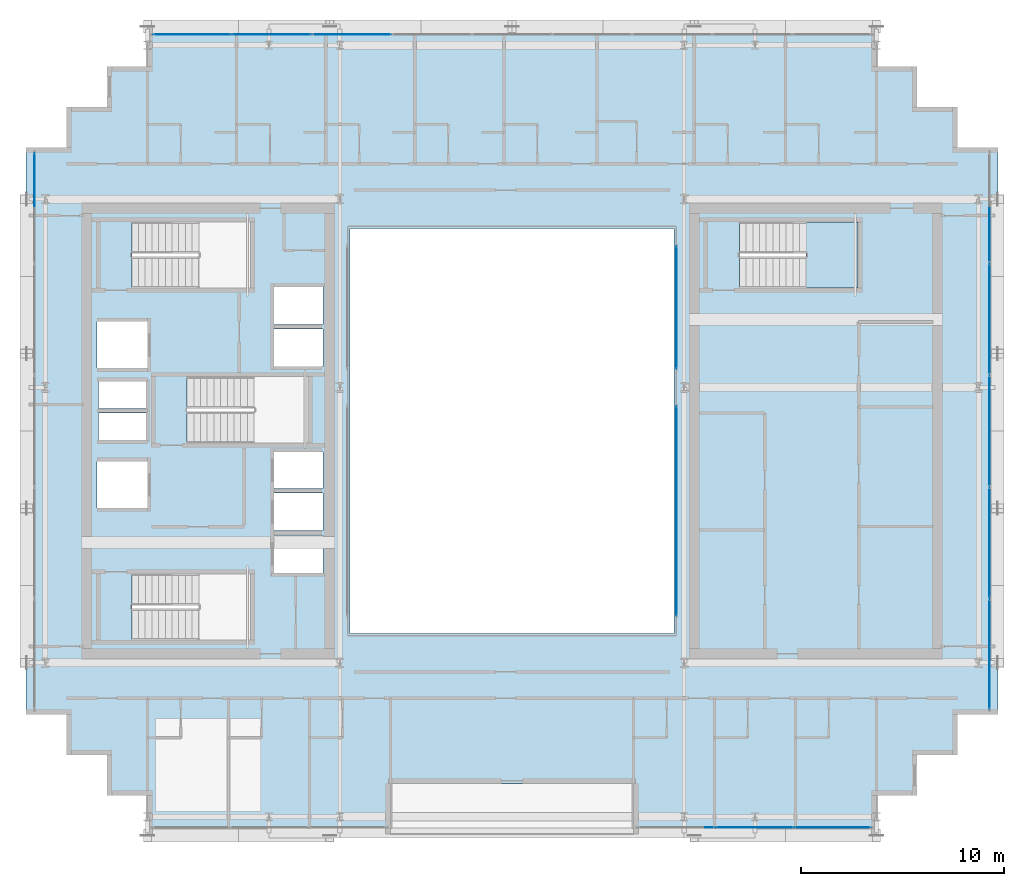
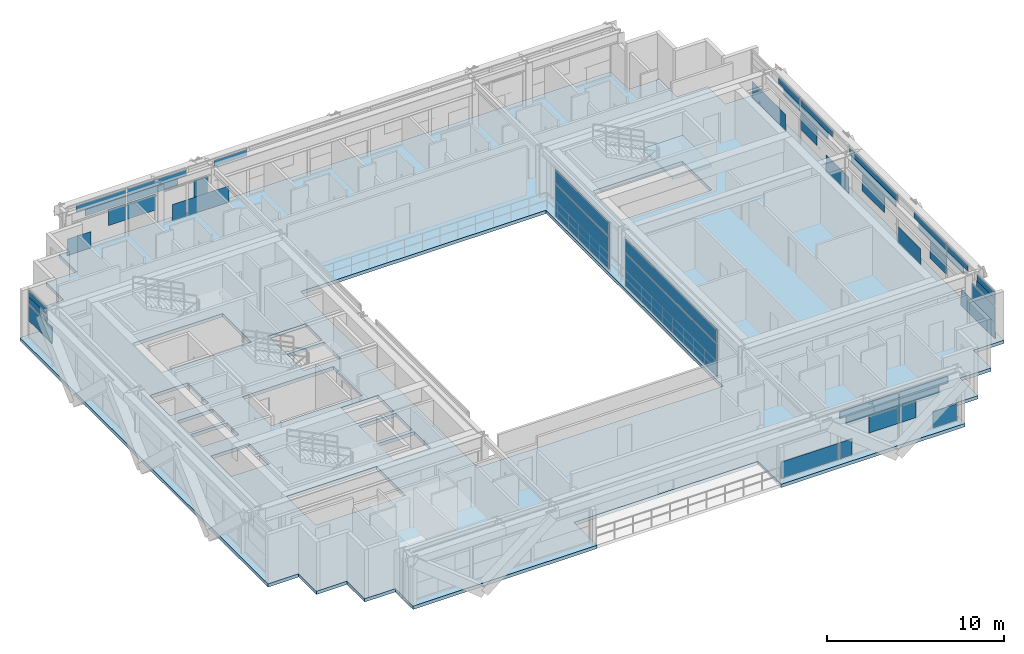
# One storey, part 25 of 38: 47 plates, 2 slabs, 7 elements without a shape of their own.
"""IFC4 building model written with IfcOpenShell, lengths in metres."""

import ifcopenshell
import ifcopenshell.guid

model = None  # the IFC model being written
_history = None  # IfcOwnerHistory: only IFC2X3 demands one
_inside = {}  # id of a spatial element -> (the spatial element, [elements in it])
_under = {}  # id of a project, library or spatial element -> (it, [spatial elements below it])
_declared = {}  # id of a project -> (the project, [libraries it declares])
_typed = {}  # id of a type object -> (the type object, [elements of that type])
_made_of = {}  # id of a material, layer set ... -> (it, [elements and type objects made of it])


def new_model(schema):
    """Start an empty IFC model of exactly this schema.

    Asked for "IFC4X3", IfcOpenShell would pick the latest addendum, in which some entities
    have other attributes; the version numbers below select the first issue.
    IFC2X3 requires an IfcOwnerHistory on every rooted entity: one is made here for all.
    """
    global model, _history
    if schema == "IFC4X3":
        model = ifcopenshell.file(schema_version=(4, 3, 0, 0))
    else:
        model = ifcopenshell.file(schema=schema)
    _inside.clear()
    _under.clear()
    _declared.clear()
    _typed.clear()
    _made_of.clear()
    _history = None
    if model.schema == "IFC2X3":
        org = make("IfcOrganization", Name="unknown")
        user = make(
            "IfcPersonAndOrganization",
            ThePerson=make("IfcPerson", FamilyName="unknown"),
            TheOrganization=org,
        )
        app = make(
            "IfcApplication",
            ApplicationDeveloper=org,
            Version="unknown",
            ApplicationFullName="unknown",
            ApplicationIdentifier="unknown",
        )
        _history = make(
            "IfcOwnerHistory",
            OwningUser=user,
            OwningApplication=app,
            ChangeAction="ADDED",
            CreationDate=0,
        )
    return model


def make(cls, **values):
    """One entity of the class cls with the attributes given. An attribute that is None is left unset."""
    return model.create_entity(
        cls, **{name: value for name, value in values.items() if value is not None}
    )


def rooted(cls, **values):
    """An entity with a GlobalId (a new one), such as an element, a storey or a relation."""
    return make(cls, GlobalId=ifcopenshell.guid.new(), OwnerHistory=_history, **values)


def si_unit(unit_type, name, prefix=None):
    """IfcSIUnit, for example si_unit("LENGTHUNIT", "METRE", prefix="MILLI")."""
    return make("IfcSIUnit", UnitType=unit_type, Prefix=prefix, Name=name)


def assignment(units):
    """IfcUnitAssignment: the units of a project."""
    return None if units is None else make("IfcUnitAssignment", Units=units)


def point(xyz):
    """IfcCartesianPoint."""
    return None if xyz is None else make("IfcCartesianPoint", Coordinates=xyz)


def direction(xyz):
    """IfcDirection."""
    return None if xyz is None else make("IfcDirection", DirectionRatios=xyz)


def frame(location, z_axis=None, x_axis=None):
    """IfcAxis2Placement3D, a coordinate frame: its origin and axes. An axis left out is left unset."""
    return make(
        "IfcAxis2Placement3D",
        Location=point(location),
        Axis=direction(z_axis),
        RefDirection=direction(x_axis),
    )


def frame_2d(location, x_axis=None):
    """IfcAxis2Placement2D, a coordinate frame in the plane: its origin and x axis."""
    return make(
        "IfcAxis2Placement2D", Location=point(location), RefDirection=direction(x_axis)
    )


def origin():
    """The frame at (0, 0, 0) with its axes left unset."""
    return frame((0.0, 0.0, 0.0))


def origin_2d():
    """The frame at (0, 0) in the plane with its x axis left unset."""
    return frame_2d((0.0, 0.0))


def place(relative_to, where):
    """IfcLocalPlacement: puts the frame where relative to a parent placement (None: the world)."""
    return make(
        "IfcLocalPlacement", PlacementRelTo=relative_to, RelativePlacement=where
    )


def context(
    kind, dimensions, precision=None, world=None, true_north=None, identifier=None
):
    """IfcGeometricRepresentationContext, for example the 3D "Model" context."""
    return make(
        "IfcGeometricRepresentationContext",
        ContextIdentifier=identifier,
        ContextType=kind,
        CoordinateSpaceDimension=dimensions,
        Precision=precision,
        WorldCoordinateSystem=world,
        TrueNorth=true_north,
    )


def subcontext(parent, identifier, kind, view, scale=None):
    """IfcGeometricRepresentationSubContext, for example "Body" below "Model"."""
    return make(
        "IfcGeometricRepresentationSubContext",
        ContextIdentifier=identifier,
        ContextType=kind,
        ParentContext=parent,
        TargetScale=scale,
        TargetView=view,
    )


def project(units=None, contexts=None):
    """IfcProject with its units and contexts."""
    return rooted(
        "IfcProject",
        Name="project",
        RepresentationContexts=contexts,
        UnitsInContext=assignment(units),
    )


def spatial(cls, under=None, at=None, **own):
    """A site, building, storey or space (cls), placed at a placement, below another one or the project."""
    s = rooted(cls, ObjectPlacement=at, **own)
    if under is not None:
        _under.setdefault(under.id(), (under, []))[1].append(s)
    return s


def polyline(points):
    """IfcPolyline through the points."""
    return make("IfcPolyline", Points=[point(p) for p in points])


def profile(cls, at=None, kind="AREA", **sizes):
    """A parametric profile (cls). Its sizes go by their IFC names, for example OverallWidth=200.0."""
    return make(cls, ProfileType=kind, Position=at, **sizes)


def rectangle(**sizes):
    """IfcRectangleProfileDef."""
    return profile("IfcRectangleProfileDef", **sizes)


def outline(outer, holes=None, kind="AREA"):
    """IfcArbitraryClosedProfileDef: a profile drawn as a closed curve; with holes, ...WithVoids."""
    if holes is None:
        return make("IfcArbitraryClosedProfileDef", ProfileType=kind, OuterCurve=outer)
    return make(
        "IfcArbitraryProfileDefWithVoids",
        ProfileType=kind,
        OuterCurve=outer,
        InnerCurves=holes,
    )


def extrude(swept, where, along, depth):
    """IfcExtrudedAreaSolid: the profile swept, set in the frame where, extruded along a direction by depth."""
    return make(
        "IfcExtrudedAreaSolid",
        SweptArea=swept,
        Position=where,
        ExtrudedDirection=direction(along),
        Depth=depth,
    )


def shape(context_of_items, identifier, shape_type, items):
    """IfcShapeRepresentation: the items that make up one representation, for example the "Body"."""
    return make(
        "IfcShapeRepresentation",
        ContextOfItems=context_of_items,
        RepresentationIdentifier=identifier,
        RepresentationType=shape_type,
        Items=items,
    )


def source(mapping_origin, context_of_items, identifier, shape_type, items):
    """IfcRepresentationMap: a shape defined once, which mapped items show again and again."""
    return make(
        "IfcRepresentationMap",
        MappingOrigin=mapping_origin,
        MappedRepresentation=shape(context_of_items, identifier, shape_type, items),
    )


def transform(
    local_origin,
    x_axis=None,
    y_axis=None,
    z_axis=None,
    scale=None,
    scale2=None,
    scale3=None,
    uniform=True,
):
    """IfcCartesianTransformationOperator3D, or its non-uniform kind. x_axis, y_axis, z_axis: its Axis1, 2, 3."""
    if uniform:
        return make(
            "IfcCartesianTransformationOperator3D",
            Axis1=direction(x_axis),
            Axis2=direction(y_axis),
            LocalOrigin=point(local_origin),
            Scale=scale,
            Axis3=direction(z_axis),
        )
    return make(
        "IfcCartesianTransformationOperator3DnonUniform",
        Axis1=direction(x_axis),
        Axis2=direction(y_axis),
        LocalOrigin=point(local_origin),
        Scale=scale,
        Axis3=direction(z_axis),
        Scale2=scale2,
        Scale3=scale3,
    )


def mapped(mapping_source, mapping_target):
    """IfcMappedItem: shows the shape of a source again, moved by a transform."""
    return make(
        "IfcMappedItem", MappingSource=mapping_source, MappingTarget=mapping_target
    )


def material(Name=None, Category=None):
    """IfcMaterial."""
    return make("IfcMaterial", Name=Name, Category=Category)


def layer(
    of_material, thickness, ventilated=None, Name=None, Category=None, Priority=None
):
    """IfcMaterialLayer: one layer of a wall or slab, of a material (None: an air gap)."""
    return make(
        "IfcMaterialLayer",
        Material=of_material,
        LayerThickness=thickness,
        IsVentilated=ventilated,
        Name=Name,
        Category=Category,
        Priority=Priority,
    )


def layer_set(layers, Name=None):
    """IfcMaterialLayerSet."""
    return make("IfcMaterialLayerSet", MaterialLayers=layers, LayerSetName=Name)


def made_of(thing, what):
    """Note that an element or type object is made of a material, layer set ...; save() writes the relation."""
    if what is not None:
        _made_of.setdefault(what.id(), (what, []))[1].append(thing)
    return thing


def type_object(cls, material=None, **own):
    """A type object (cls), such as IfcWallType, which elements share."""
    return made_of(rooted(cls, **own), material)


def element(
    cls,
    number,
    at=None,
    inside=None,
    cuts=None,
    type_object=None,
    material=None,
    context=None,
    identifier="Body",
    shape_type=None,
    held_by="IfcProductDefinitionShape",
    body=None,
    shapes=None,
    **own,
):
    """One element of the class cls, such as IfcWall. Its Tag is "e" and its number.

    at: its placement. inside: the storey or other place that contains it. cuts: it is an
    opening in that element (IfcRelVoidsElement). A single representation is given by context,
    identifier, shape_type and body (its items); several are given by shapes. held_by: the class
    of the entity that holds the representations. save() writes the other relations.
    """
    e = rooted(cls, Tag="e%d" % number, ObjectPlacement=at, **own)
    if body is not None:
        shapes = [shape(context, identifier, shape_type, body)]
    if shapes is not None:
        e.Representation = make(held_by, Representations=shapes)
    if inside is not None:
        _inside.setdefault(inside.id(), (inside, []))[1].append(e)
    if cuts is not None:
        rooted(
            "IfcRelVoidsElement", RelatingBuildingElement=cuts, RelatedOpeningElement=e
        )
    if type_object is not None:
        _typed.setdefault(type_object.id(), (type_object, []))[1].append(e)
    return made_of(e, material)


def aggregate(whole, parts):
    """IfcRelAggregates: a whole, such as a stair, and the parts it consists of."""
    return rooted("IfcRelAggregates", RelatingObject=whole, RelatedObjects=parts)


def save(model, path):
    """Write the relations noted so far, then the file.

    IfcRelAggregates (storeys below a building ...), IfcRelContainedInSpatialStructure (elements
    in a storey), IfcRelDefinesByType, IfcRelAssociatesMaterial and IfcRelDeclares: one each for
    every whole, place, type object, material and project.
    """
    for whole, parts in _under.values():
        aggregate(whole, parts)
    for where, things in _inside.values():
        rooted(
            "IfcRelContainedInSpatialStructure",
            RelatedElements=things,
            RelatingStructure=where,
        )
    for kind, things in _typed.values():
        rooted("IfcRelDefinesByType", RelatedObjects=things, RelatingType=kind)
    for what, things in _made_of.values():
        rooted("IfcRelAssociatesMaterial", RelatedObjects=things, RelatingMaterial=what)
    for by, libraries in _declared.values():
        rooted("IfcRelDeclares", RelatingContext=by, RelatedDefinitions=libraries)
    model.write(path)


model = new_model("IFC4")

# Units and contexts
model_context = context("Model", 3, precision=1e-05, world=origin(), true_north=direction((0.0, 1.0)))
body_context = subcontext(model_context, "Body", "Model", "MODEL_VIEW")
ifc_project = project(units=[si_unit("LENGTHUNIT", "METRE"), si_unit("AREAUNIT", "SQUARE_METRE"), si_unit("VOLUMEUNIT", "CUBIC_METRE"), si_unit("PLANEANGLEUNIT", "RADIAN"), si_unit("MASSUNIT", "GRAM", prefix="KILO")], contexts=[model_context])

# Site, building, storey
site_placement = place(None, origin())
site = spatial("IfcSite", under=ifc_project, at=site_placement, CompositionType="ELEMENT")
building_placement = place(site_placement, origin())
building = spatial("IfcBuilding", under=site, at=building_placement, Name="Ocotamira Hotel", CompositionType="ELEMENT")
storey_placement = place(building_placement, frame((0.0, 0.0, 170.39990234375)))
storey = spatial("IfcBuildingStorey", under=building, at=storey_placement, Name="L42", CompositionType="ELEMENT", Elevation=170.39990234375)

# Stair, slab
ifc_material_1 = material(Name="Concrete C40/50", Category="concrete")
stair_type = type_object("IfcStairType", Name="ST-CORE-1560", PredefinedType="HALF_TURN_STAIR", material=ifc_material_1)
stair_placement = place(storey_placement, origin())
stair = element("IfcStair", 1, at=stair_placement, inside=storey, type_object=stair_type, Name="L42 Exit Stair ST-4", PredefinedType="HALF_TURN_STAIR")
ifc_layer_1 = layer(ifc_material_1, 0.199951171875)
ifc_layer_set_1 = layer_set([ifc_layer_1], Name="Concrete C40/50")
slab_type_1 = type_object("IfcSlabType", Name="SLB-LAND-200", PredefinedType="LANDING", material=ifc_layer_set_1)
slab_1_placement = place(storey_placement, frame((0.0, 0.0, 1.60009765625)))
slab_1 = element("IfcSlab", 2, at=slab_1_placement, type_object=slab_type_1, Name="ST-4 landing 1", PredefinedType="LANDING", context=body_context, shape_type="SweptSolid", body=[
    extrude(outline(polyline([(46.530029296875, 33.050048828125), (49.090087890625, 33.050048828125), (49.090087890625, 36.330078125), (46.530029296875, 36.330078125), (46.530029296875, 33.050048828125)])), origin(), (0.0, 0.0, 1.0), 0.199951171875),
])
aggregate(stair, [slab_1])

# Slab
ifc_layer_2 = layer(ifc_material_1, 0.22998046875)
ifc_layer_set_2 = layer_set([ifc_layer_2], Name="Concrete C40/50")
slab_type_2 = type_object("IfcSlabType", Name="SLB-Z3-230", PredefinedType="FLOOR", material=ifc_layer_set_2)
slab_2_placement = place(storey_placement, frame((0.0, 0.0, -0.22998046875)))
element("IfcSlab", 3, at=slab_2_placement, inside=storey, type_object=slab_type_2, Name="L42 Structural Floor Slab", PredefinedType="FLOOR", context=body_context, shape_type="SweptSolid", body=[
    extrude(outline(polyline([(14.0, 6.0), (14.0, 8.0), (12.0, 8.0), (12.0, 10.0), (10.0, 10.0), (10.0, 12.0), (8.0, 12.0), (8.0, 40.0), (10.0, 40.0), (10.0, 42.0), (12.0, 42.0), (12.0, 44.0), (14.0, 44.0), (14.0, 46.0), (50.0, 46.0), (50.0, 44.0), (52.0, 44.0), (52.0, 42.0), (54.0, 42.0), (54.0, 40.0), (56.0, 40.0), (56.0, 12.0), (54.0, 12.0), (54.0, 10.0), (52.0, 10.0), (52.0, 8.0), (50.0, 8.0), (50.0, 6.0), (38.0, 6.0), (38.0, 8.60009765625), (26.0, 8.60009765625), (26.0, 6.0), (14.0, 6.0)]), holes=[polyline([(24.0, 16.0), (40.0, 16.0), (40.0, 36.0), (24.0, 36.0), (24.0, 16.0)]), polyline([(13.22998046875, 15.669921875), (19.090087890625, 15.669921875), (19.090087890625, 18.949951171875), (13.22998046875, 18.949951171875), (13.22998046875, 15.669921875)]), polyline([(13.22998046875, 33.050048828125), (19.090087890625, 33.050048828125), (19.090087890625, 36.330078125), (13.22998046875, 36.330078125), (13.22998046875, 33.050048828125)]), polyline([(15.9599609375, 25.39990234375), (21.919921875, 25.39990234375), (21.919921875, 28.679931640625), (15.9599609375, 28.679931640625), (15.9599609375, 25.39990234375)]), polyline([(43.22998046875, 33.050048828125), (49.090087890625, 33.050048828125), (49.090087890625, 36.330078125), (43.22998046875, 36.330078125), (43.22998046875, 33.050048828125)]), polyline([(20.25, 19.0), (22.659912109375, 19.0), (22.659912109375, 20.85009765625), (20.25, 20.85009765625), (20.25, 19.0)]), polyline([(20.25, 21.080078125), (22.659912109375, 21.080078125), (22.659912109375, 22.929931640625), (20.25, 22.929931640625), (20.25, 21.080078125)]), polyline([(20.25, 23.159912109375), (22.659912109375, 23.159912109375), (22.659912109375, 24.9599609375), (20.25, 24.9599609375), (20.25, 23.159912109375)]), polyline([(20.25, 29.179931640625), (22.659912109375, 29.179931640625), (22.659912109375, 31.030029296875), (20.25, 31.030029296875), (20.25, 29.179931640625)]), polyline([(20.25, 31.260009765625), (22.659912109375, 31.260009765625), (22.659912109375, 33.110107421875), (20.25, 33.110107421875), (20.25, 31.260009765625)]), polyline([(11.5, 22.199951171875), (14.0, 22.199951171875), (14.0, 24.5), (11.5, 24.5), (11.5, 22.199951171875)]), polyline([(11.5, 29.10009765625), (14.0, 29.10009765625), (14.0, 31.39990234375), (11.5, 31.39990234375), (11.5, 29.10009765625)]), polyline([(11.580078125, 25.550048828125), (13.919921875, 25.550048828125), (13.919921875, 26.89990234375), (11.580078125, 26.89990234375), (11.580078125, 25.550048828125)]), polyline([(11.580078125, 27.10009765625), (13.919921875, 27.10009765625), (13.919921875, 28.449951171875), (11.580078125, 28.449951171875), (11.580078125, 27.10009765625)])]), origin(), (0.0, 0.0, 1.0), 0.22998046875),
])

# Curtain wall, plate
ifc_material_2 = material(Name="Anodised pale-metal aluminium and solar glass", Category="aluminium")
ifc_layer_3 = layer(ifc_material_2, 0.199951171875)
ifc_layer_set_3 = layer_set([ifc_layer_3], Name="Anodised pale-metal aluminium and solar glass")
curtain_wall_type_1 = type_object("IfcCurtainWallType", Name="CW-SYS4-Z3", PredefinedType="NOTDEFINED", material=ifc_layer_set_3)
curtain_wall_1_placement = place(storey_placement, origin())
curtain_wall_1 = element("IfcCurtainWall", 4, at=curtain_wall_1_placement, inside=storey, type_object=curtain_wall_type_1, Name="L42 Curtain Wall CW-4 CW-L42-S2", PredefinedType="NOTDEFINED")
ifc_material_3 = material(Name="Double-silver low-E insulated solar glass", Category="glass")
ifc_layer_4 = layer(ifc_material_3, 0.031982421875)
ifc_layer_set_4 = layer_set([ifc_layer_4], Name="Double-silver low-E insulated solar glass")
plate_type = type_object("IfcPlateType", Name="CWP-VISION-32", PredefinedType="CURTAIN_PANEL", material=ifc_layer_set_4)
shared_shape_1 = source(origin(), body_context, "Body", "SweptSolid", [
    extrude(rectangle(XDim=1.5673828125, YDim=0.031982421875, at=origin_2d()), origin(), (0.0, 0.0, 1.0), 1.118896484375),
])
plate_1_placement = place(storey_placement, frame((48.936279296875, 6.419921875, 0.0751953125), z_axis=(0.0, 0.0, 1.0), x_axis=(1.0, 0.0, 0.0)))
plate_1 = element("IfcPlate", 5, at=plate_1_placement, type_object=plate_type, Name="CW-4 panel 3.1.2", PredefinedType="CURTAIN_PANEL", context=body_context, shape_type="MappedRepresentation", body=[
    mapped(shared_shape_1, transform((0.0, 0.0, 0.0), scale=1.0)),
])

# Curtain wall, plates
curtain_wall_2_placement = place(storey_placement, origin())
curtain_wall_2 = element("IfcCurtainWall", 6, at=curtain_wall_2_placement, inside=storey, type_object=curtain_wall_type_1, Name="L42 Curtain Wall CW-4 CW-L42-N", PredefinedType="NOTDEFINED")
plate_2_placement = place(storey_placement, frame((15.063720703125, 45.580078125, 0.0751953125), z_axis=(0.0, 0.0, 1.0), x_axis=(1.0, 0.0, 0.0)))
plate_2 = element("IfcPlate", 7, at=plate_2_placement, type_object=plate_type, Name="CW-4 panel 1.1.1", PredefinedType="CURTAIN_PANEL", context=body_context, shape_type="MappedRepresentation", body=[
    mapped(shared_shape_1, transform((0.0, 0.0, 0.0), scale=1.0)),
])
shared_shape_2 = source(origin(), body_context, "Body", "SweptSolid", [
    extrude(rectangle(XDim=3.233154296875, YDim=0.031982421875, at=origin_2d()), origin(), (0.0, 0.0, 1.0), 0.4326171875),
])
plate_3_placement = place(storey_placement, frame((16.4990234375, 45.580078125, 2.862548828125), z_axis=(0.0, 0.0, 1.0), x_axis=(1.0, 0.0, 0.0)))
plate_3 = element("IfcPlate", 8, at=plate_3_placement, type_object=plate_type, Name="CW-4 panel 1.2.1", PredefinedType="CURTAIN_PANEL", context=body_context, shape_type="MappedRepresentation", body=[
    mapped(shared_shape_2, transform((0.0, 0.0, 0.0), scale=1.0)),
])
shared_shape_3 = source(origin(), body_context, "Body", "SweptSolid", [
    extrude(rectangle(XDim=2.6396484375, YDim=0.031982421875, at=origin_2d()), origin(), (0.0, 0.0, 1.0), 0.443603515625),
])
plate_4_placement = place(storey_placement, frame((16.795654296875, 45.580078125, 2.3876953125), z_axis=(0.0, 0.0, 1.0), x_axis=(1.0, 0.0, 0.0)))
plate_4 = element("IfcPlate", 9, at=plate_4_placement, type_object=plate_type, Name="CW-4 panel 1.2.2", PredefinedType="CURTAIN_PANEL", context=body_context, shape_type="MappedRepresentation", body=[
    mapped(shared_shape_3, transform((0.0, 0.0, 0.0), scale=1.0)),
])
shared_shape_4 = source(origin(), body_context, "Body", "SweptSolid", [
    extrude(rectangle(XDim=0.918701171875, YDim=0.031982421875, at=origin_2d()), origin(), (0.0, 0.0, 1.0), 1.118896484375),
])
plate_5_placement = place(storey_placement, frame((21.61181640625, 45.580078125, 0.0751953125), z_axis=(0.0, 0.0, 1.0), x_axis=(1.0, 0.0, 0.0)))
plate_5 = element("IfcPlate", 10, at=plate_5_placement, type_object=plate_type, Name="CW-4 panel 2.1.2", PredefinedType="CURTAIN_PANEL", context=body_context, shape_type="MappedRepresentation", body=[
    mapped(shared_shape_4, transform((0.0, 0.0, 0.0), scale=1.0)),
])
shared_shape_5 = source(origin(), body_context, "Body", "SweptSolid", [
    extrude(rectangle(XDim=3.32861328125, YDim=0.031982421875, at=origin_2d()), origin(), (0.0, 0.0, 1.0), 0.474853515625),
])
plate_6_placement = place(storey_placement, frame((19.85986328125, 45.580078125, 2.3876953125), z_axis=(0.0, 0.0, 1.0), x_axis=(1.0, 0.0, 0.0)))
plate_6 = element("IfcPlate", 11, at=plate_6_placement, type_object=plate_type, Name="CW-4 panel 2.2.1", PredefinedType="CURTAIN_PANEL", context=body_context, shape_type="MappedRepresentation", body=[
    mapped(shared_shape_5, transform((0.0, 0.0, 0.0), scale=1.0)),
])
shared_shape_6 = source(origin(), body_context, "Body", "SweptSolid", [
    extrude(rectangle(XDim=3.87548828125, YDim=0.031982421875, at=origin_2d()), origin(), (0.0, 0.0, 1.0), 0.4326171875),
])
plate_7_placement = place(storey_placement, frame((20.13330078125, 45.580078125, 2.862548828125), z_axis=(0.0, 0.0, 1.0), x_axis=(1.0, 0.0, 0.0)))
plate_7 = element("IfcPlate", 12, at=plate_7_placement, type_object=plate_type, Name="CW-4 panel 2.2.2", PredefinedType="CURTAIN_PANEL", context=body_context, shape_type="MappedRepresentation", body=[
    mapped(shared_shape_6, transform((0.0, 0.0, 0.0), scale=1.0)),
])
shared_shape_7 = source(origin(), body_context, "Body", "SweptSolid", [
    extrude(rectangle(XDim=2.6962890625, YDim=0.031982421875, at=origin_2d()), origin(), (0.0, 0.0, 1.0), 1.118896484375),
])
plate_8_placement = place(storey_placement, frame((23.499267578125, 45.580078125, 0.0751953125), z_axis=(0.0, 0.0, 1.0), x_axis=(1.0, 0.0, 0.0)))
plate_8 = element("IfcPlate", 13, at=plate_8_placement, type_object=plate_type, Name="CW-4 panel 3.1.1", PredefinedType="CURTAIN_PANEL", context=body_context, shape_type="MappedRepresentation", body=[
    mapped(shared_shape_7, transform((0.0, 0.0, 0.0), scale=1.0)),
])
shared_shape_8 = source(origin(), body_context, "Body", "SweptSolid", [
    extrude(rectangle(XDim=2.144287109375, YDim=0.031982421875, at=origin_2d()), origin(), (0.0, 0.0, 1.0), 0.4326171875),
])
plate_9_placement = place(storey_placement, frame((24.95458984375, 45.580078125, 2.862548828125), z_axis=(0.0, 0.0, 1.0), x_axis=(1.0, 0.0, 0.0)))
plate_9 = element("IfcPlate", 14, at=plate_9_placement, type_object=plate_type, Name="CW-4 panel 3.2.1", PredefinedType="CURTAIN_PANEL", context=body_context, shape_type="MappedRepresentation", body=[
    mapped(shared_shape_8, transform((0.0, 0.0, 0.0), scale=1.0)),
])

curtain_wall_3_placement = place(storey_placement, origin())
curtain_wall_3 = element("IfcCurtainWall", 15, at=curtain_wall_3_placement, inside=storey, type_object=curtain_wall_type_1, Name="L42 Curtain Wall CW-4 CW-L42-E", PredefinedType="NOTDEFINED")
shared_shape_9 = source(origin(), body_context, "Body", "SweptSolid", [
    extrude(rectangle(XDim=3.802001953125, YDim=0.031982421875, at=origin_2d()), origin(), (0.0, 0.0, 1.0), 1.118896484375),
])
plate_10_placement = place(storey_placement, frame((55.580078125, 14.180908203125, 0.0751953125), z_axis=(0.0, 0.0, 1.0), x_axis=(0.0, 1.0, 0.0)))
plate_10 = element("IfcPlate", 16, at=plate_10_placement, type_object=plate_type, Name="CW-4 panel 1.1.1", PredefinedType="CURTAIN_PANEL", context=body_context, shape_type="MappedRepresentation", body=[
    mapped(shared_shape_9, transform((0.0, 0.0, 0.0), scale=1.0)),
])
plate_11_placement = place(storey_placement, frame((55.580078125, 37.819091796875, 0.0751953125), z_axis=(0.0, 0.0, 1.0), x_axis=(0.0, 1.0, 0.0)))
plate_11 = element("IfcPlate", 17, at=plate_11_placement, type_object=plate_type, Name="CW-4 panel 5.1.1", PredefinedType="CURTAIN_PANEL", context=body_context, shape_type="MappedRepresentation", body=[
    mapped(shared_shape_9, transform((0.0, 0.0, 0.0), scale=1.0)),
])

# Curtain wall, plate
curtain_wall_4_placement = place(storey_placement, origin())
curtain_wall_4 = element("IfcCurtainWall", 18, at=curtain_wall_4_placement, inside=storey, type_object=curtain_wall_type_1, Name="L42 Curtain Wall CW-4 CW-L42-W", PredefinedType="NOTDEFINED")
shared_shape_10 = source(origin(), body_context, "Body", "SweptSolid", [
    extrude(rectangle(XDim=2.048095703125, YDim=0.031982421875, at=origin_2d()), origin(), (0.0, 0.0, 1.0), 0.460693359375),
])
plate_12_placement = place(storey_placement, frame((8.419921875, 38.696044921875, 2.3876953125), z_axis=(0.0, 0.0, 1.0), x_axis=(0.0, 1.0, 0.0)))
plate_12 = element("IfcPlate", 19, at=plate_12_placement, type_object=plate_type, Name="CW-4 panel 5.2.3", PredefinedType="CURTAIN_PANEL", context=body_context, shape_type="MappedRepresentation", body=[
    mapped(shared_shape_10, transform((0.0, 0.0, 0.0), scale=1.0)),
])

# Plate
plate_13_placement = place(storey_placement, frame((55.580078125, 13.303955078125, 2.3876953125), z_axis=(0.0, 0.0, 1.0), x_axis=(0.0, 1.0, 0.0)))
plate_13 = element("IfcPlate", 20, at=plate_13_placement, type_object=plate_type, Name="CW-4 panel 1.2.1", PredefinedType="CURTAIN_PANEL", context=body_context, shape_type="MappedRepresentation", body=[
    mapped(shared_shape_10, transform((0.0, 0.0, 0.0), scale=1.0)),
])

shared_shape_11 = source(origin(), body_context, "Body", "SweptSolid", [
    extrude(rectangle(XDim=2.01171875, YDim=0.031982421875, at=origin_2d()), origin(), (0.0, 0.0, 1.0), 0.44677734375),
])
plate_14_placement = place(storey_placement, frame((8.419921875, 38.714111328125, 2.848388671875), z_axis=(0.0, 0.0, 1.0), x_axis=(0.0, 1.0, 0.0)))
plate_14 = element("IfcPlate", 21, at=plate_14_placement, type_object=plate_type, Name="CW-4 panel 5.2.4", PredefinedType="CURTAIN_PANEL", context=body_context, shape_type="MappedRepresentation", body=[
    mapped(shared_shape_11, transform((0.0, 0.0, 0.0), scale=1.0)),
])

plate_15_placement = place(storey_placement, frame((55.580078125, 13.285888671875, 2.848388671875), z_axis=(0.0, 0.0, 1.0), x_axis=(0.0, 1.0, 0.0)))
plate_15 = element("IfcPlate", 22, at=plate_15_placement, type_object=plate_type, Name="CW-4 panel 1.2.2", PredefinedType="CURTAIN_PANEL", context=body_context, shape_type="MappedRepresentation", body=[
    mapped(shared_shape_11, transform((0.0, 0.0, 0.0), scale=1.0)),
])

shared_shape_12 = source(origin(), body_context, "Body", "SweptSolid", [
    extrude(rectangle(XDim=2.3681640625, YDim=0.031982421875, at=origin_2d()), origin(), (0.0, 0.0, 1.0), 0.41259765625),
])
plate_16_placement = place(storey_placement, frame((55.580078125, 16.495849609375, 2.882568359375), z_axis=(0.0, 0.0, 1.0), x_axis=(0.0, 1.0, 0.0)))
plate_16 = element("IfcPlate", 23, at=plate_16_placement, type_object=plate_type, Name="CW-4 panel 1.2.3", PredefinedType="CURTAIN_PANEL", context=body_context, shape_type="MappedRepresentation", body=[
    mapped(shared_shape_12, transform((0.0, 0.0, 0.0), scale=1.0)),
])

plate_17_placement = place(storey_placement, frame((55.580078125, 35.504150390625, 2.882568359375), z_axis=(0.0, 0.0, 1.0), x_axis=(0.0, 1.0, 0.0)))
plate_17 = element("IfcPlate", 24, at=plate_17_placement, type_object=plate_type, Name="CW-4 panel 5.2.2", PredefinedType="CURTAIN_PANEL", context=body_context, shape_type="MappedRepresentation", body=[
    mapped(shared_shape_12, transform((0.0, 0.0, 0.0), scale=1.0)),
])

shared_shape_13 = source(origin(), body_context, "Body", "SweptSolid", [
    extrude(rectangle(XDim=1.84326171875, YDim=0.031982421875, at=origin_2d()), origin(), (0.0, 0.0, 1.0), 0.460693359375),
])
plate_18_placement = place(storey_placement, frame((55.580078125, 16.75830078125, 2.3876953125), z_axis=(0.0, 0.0, 1.0), x_axis=(0.0, 1.0, 0.0)))
plate_18 = element("IfcPlate", 25, at=plate_18_placement, type_object=plate_type, Name="CW-4 panel 1.2.4", PredefinedType="CURTAIN_PANEL", context=body_context, shape_type="MappedRepresentation", body=[
    mapped(shared_shape_13, transform((0.0, 0.0, 0.0), scale=1.0)),
])

plate_19_placement = place(storey_placement, frame((55.580078125, 35.24169921875, 2.3876953125), z_axis=(0.0, 0.0, 1.0), x_axis=(0.0, 1.0, 0.0)))
plate_19 = element("IfcPlate", 26, at=plate_19_placement, type_object=plate_type, Name="CW-4 panel 5.2.1", PredefinedType="CURTAIN_PANEL", context=body_context, shape_type="MappedRepresentation", body=[
    mapped(shared_shape_13, transform((0.0, 0.0, 0.0), scale=1.0)),
])

shared_shape_14 = source(origin(), body_context, "Body", "SweptSolid", [
    extrude(rectangle(XDim=2.548828125, YDim=0.031982421875, at=origin_2d()), origin(), (0.0, 0.0, 1.0), 1.118896484375),
])
plate_20_placement = place(storey_placement, frame((55.580078125, 21.925537109375, 0.0751953125), z_axis=(0.0, 0.0, 1.0), x_axis=(0.0, 1.0, 0.0)))
plate_20 = element("IfcPlate", 27, at=plate_20_placement, type_object=plate_type, Name="CW-4 panel 2.1.2", PredefinedType="CURTAIN_PANEL", context=body_context, shape_type="MappedRepresentation", body=[
    mapped(shared_shape_14, transform((0.0, 0.0, 0.0), scale=1.0)),
])

plate_21_placement = place(storey_placement, frame((55.580078125, 30.074462890625, 0.0751953125), z_axis=(0.0, 0.0, 1.0), x_axis=(0.0, 1.0, 0.0)))
plate_21 = element("IfcPlate", 28, at=plate_21_placement, type_object=plate_type, Name="CW-4 panel 4.1.1", PredefinedType="CURTAIN_PANEL", context=body_context, shape_type="MappedRepresentation", body=[
    mapped(shared_shape_14, transform((0.0, 0.0, 0.0), scale=1.0)),
])

shared_shape_15 = source(origin(), body_context, "Body", "SweptSolid", [
    extrude(rectangle(XDim=3.13671875, YDim=0.031982421875, at=origin_2d()), origin(), (0.0, 0.0, 1.0), 0.460693359375),
])
plate_22_placement = place(storey_placement, frame((55.580078125, 19.328369140625, 2.3876953125), z_axis=(0.0, 0.0, 1.0), x_axis=(0.0, 1.0, 0.0)))
plate_22 = element("IfcPlate", 29, at=plate_22_placement, type_object=plate_type, Name="CW-4 panel 2.2.1", PredefinedType="CURTAIN_PANEL", context=body_context, shape_type="MappedRepresentation", body=[
    mapped(shared_shape_15, transform((0.0, 0.0, 0.0), scale=1.0)),
])

plate_23_placement = place(storey_placement, frame((55.580078125, 32.671630859375, 2.3876953125), z_axis=(0.0, 0.0, 1.0), x_axis=(0.0, 1.0, 0.0)))
plate_23 = element("IfcPlate", 30, at=plate_23_placement, type_object=plate_type, Name="CW-4 panel 4.2.2", PredefinedType="CURTAIN_PANEL", context=body_context, shape_type="MappedRepresentation", body=[
    mapped(shared_shape_15, transform((0.0, 0.0, 0.0), scale=1.0)),
])

shared_shape_16 = source(origin(), body_context, "Body", "SweptSolid", [
    extrude(rectangle(XDim=3.66162109375, YDim=0.031982421875, at=origin_2d()), origin(), (0.0, 0.0, 1.0), 0.41259765625),
])
plate_24_placement = place(storey_placement, frame((55.580078125, 19.5908203125, 2.882568359375), z_axis=(0.0, 0.0, 1.0), x_axis=(0.0, 1.0, 0.0)))
plate_24 = element("IfcPlate", 31, at=plate_24_placement, type_object=plate_type, Name="CW-4 panel 2.2.2", PredefinedType="CURTAIN_PANEL", context=body_context, shape_type="MappedRepresentation", body=[
    mapped(shared_shape_16, transform((0.0, 0.0, 0.0), scale=1.0)),
])

plate_25_placement = place(storey_placement, frame((55.580078125, 32.4091796875, 2.882568359375), z_axis=(0.0, 0.0, 1.0), x_axis=(0.0, 1.0, 0.0)))
plate_25 = element("IfcPlate", 32, at=plate_25_placement, type_object=plate_type, Name="CW-4 panel 4.2.1", PredefinedType="CURTAIN_PANEL", context=body_context, shape_type="MappedRepresentation", body=[
    mapped(shared_shape_16, transform((0.0, 0.0, 0.0), scale=1.0)),
])

shared_shape_17 = source(origin(), body_context, "Body", "SweptSolid", [
    extrude(rectangle(XDim=5.43994140625, YDim=0.031982421875, at=origin_2d()), origin(), (0.0, 0.0, 1.0), 0.41259765625),
])
plate_26_placement = place(storey_placement, frame((55.580078125, 26.0, 2.882568359375), z_axis=(0.0, 0.0, 1.0), x_axis=(0.0, 1.0, 0.0)))
plate_26 = element("IfcPlate", 33, at=plate_26_placement, type_object=plate_type, Name="CW-4 panel 3.2.1", PredefinedType="CURTAIN_PANEL", context=body_context, shape_type="MappedRepresentation", body=[
    mapped(shared_shape_17, transform((0.0, 0.0, 0.0), scale=1.0)),
])

shared_shape_18 = source(origin(), body_context, "Body", "SweptSolid", [
    extrude(rectangle(XDim=5.06005859375, YDim=0.031982421875, at=origin_2d()), origin(), (0.0, 0.0, 1.0), 0.4951171875),
])
plate_27_placement = place(storey_placement, frame((55.580078125, 26.0, 2.387451171875), z_axis=(0.0, 0.0, 1.0), x_axis=(0.0, 1.0, 0.0)))
plate_27 = element("IfcPlate", 34, at=plate_27_placement, type_object=plate_type, Name="CW-4 panel 3.2.2", PredefinedType="CURTAIN_PANEL", context=body_context, shape_type="MappedRepresentation", body=[
    mapped(shared_shape_18, transform((0.0, 0.0, 0.0), scale=1.0)),
])

shared_shape_19 = source(origin(), body_context, "Body", "SweptSolid", [
    extrude(rectangle(XDim=3.76318359375, YDim=0.031982421875, at=origin_2d()), origin(), (0.0, 0.0, 1.0), 1.118896484375),
])
plate_28_placement = place(storey_placement, frame((40.11181640625, 6.419921875, 0.0751953125), z_axis=(0.0, 0.0, 1.0), x_axis=(1.0, 0.0, 0.0)))
plate_28 = element("IfcPlate", 35, at=plate_28_placement, type_object=plate_type, Name="CW-4 panel 1.1.1", PredefinedType="CURTAIN_PANEL", context=body_context, shape_type="MappedRepresentation", body=[
    mapped(shared_shape_19, transform((0.0, 0.0, 0.0), scale=1.0)),
])

shared_shape_20 = source(origin(), body_context, "Body", "SweptSolid", [
    extrude(rectangle(XDim=0.898193359375, YDim=0.031982421875, at=origin_2d()), origin(), (0.0, 0.0, 1.0), 1.118896484375),
])
plate_29_placement = place(storey_placement, frame((23.0, 45.580078125, 1.19384765625), z_axis=(0.0, 0.0, 1.0), x_axis=(1.0, 0.0, 0.0)))
plate_29 = element("IfcPlate", 36, at=plate_29_placement, type_object=plate_type, Name="CW-4 panel 3.1.2", PredefinedType="CURTAIN_PANEL", context=body_context, shape_type="MappedRepresentation", body=[
    mapped(shared_shape_20, transform((0.0, 0.0, 0.0), scale=1.0)),
])

shared_shape_21 = source(origin(), body_context, "Body", "SweptSolid", [
    extrude(rectangle(XDim=1.0751953125, YDim=0.031982421875, at=origin_2d()), origin(), (0.0, 0.0, 1.0), 1.118896484375),
])
plate_30_placement = place(storey_placement, frame((46.494384765625, 6.419921875, 1.19384765625), z_axis=(0.0, 0.0, 1.0), x_axis=(1.0, 0.0, 0.0)))
plate_30 = element("IfcPlate", 37, at=plate_30_placement, type_object=plate_type, Name="CW-4 panel 3.1.1", PredefinedType="CURTAIN_PANEL", context=body_context, shape_type="MappedRepresentation", body=[
    mapped(shared_shape_21, transform((0.0, 0.0, 0.0), scale=1.0)),
])

shared_shape_22 = source(origin(), body_context, "Body", "SweptSolid", [
    extrude(rectangle(XDim=3.160888671875, YDim=0.031982421875, at=origin_2d()), origin(), (0.0, 0.0, 1.0), 0.4326171875),
])
plate_31_placement = place(storey_placement, frame((47.537109375, 6.419921875, 2.862548828125), z_axis=(0.0, 0.0, 1.0), x_axis=(1.0, 0.0, 0.0)))
plate_31 = element("IfcPlate", 38, at=plate_31_placement, type_object=plate_type, Name="CW-4 panel 3.2.2", PredefinedType="CURTAIN_PANEL", context=body_context, shape_type="MappedRepresentation", body=[
    mapped(shared_shape_22, transform((0.0, 0.0, 0.0), scale=1.0)),
])

shared_shape_23 = source(origin(), body_context, "Body", "SweptSolid", [
    extrude(rectangle(XDim=2.5673828125, YDim=0.031982421875, at=origin_2d()), origin(), (0.0, 0.0, 1.0), 0.443603515625),
])
plate_32_placement = place(storey_placement, frame((47.240478515625, 6.419921875, 2.3876953125), z_axis=(0.0, 0.0, 1.0), x_axis=(1.0, 0.0, 0.0)))
plate_32 = element("IfcPlate", 39, at=plate_32_placement, type_object=plate_type, Name="CW-4 panel 3.2.1", PredefinedType="CURTAIN_PANEL", context=body_context, shape_type="MappedRepresentation", body=[
    mapped(shared_shape_23, transform((0.0, 0.0, 0.0), scale=1.0)),
])

shared_shape_24 = source(origin(), body_context, "Body", "SweptSolid", [
    extrude(rectangle(XDim=1.90869140625, YDim=0.031982421875, at=origin_2d()), origin(), (0.0, 0.0, 1.0), 1.118896484375),
])
plate_33_placement = place(storey_placement, frame((44.92236328125, 6.419921875, 1.19384765625), z_axis=(0.0, 0.0, 1.0), x_axis=(1.0, 0.0, 0.0)))
plate_33 = element("IfcPlate", 40, at=plate_33_placement, type_object=plate_type, Name="CW-4 panel 2.1.2", PredefinedType="CURTAIN_PANEL", context=body_context, shape_type="MappedRepresentation", body=[
    mapped(shared_shape_24, transform((0.0, 0.0, 0.0), scale=1.0)),
])

shared_shape_25 = source(origin(), body_context, "Body", "SweptSolid", [
    extrude(rectangle(XDim=0.774169921875, YDim=0.031982421875, at=origin_2d()), origin(), (0.0, 0.0, 1.0), 1.118896484375),
])
plate_34_placement = place(storey_placement, frame((42.46044921875, 6.419921875, 0.0751953125), z_axis=(0.0, 0.0, 1.0), x_axis=(1.0, 0.0, 0.0)))
plate_34 = element("IfcPlate", 41, at=plate_34_placement, type_object=plate_type, Name="CW-4 panel 2.1.1", PredefinedType="CURTAIN_PANEL", context=body_context, shape_type="MappedRepresentation", body=[
    mapped(shared_shape_25, transform((0.0, 0.0, 0.0), scale=1.0)),
])

shared_shape_26 = source(origin(), body_context, "Body", "SweptSolid", [
    extrude(rectangle(XDim=3.40087890625, YDim=0.031982421875, at=origin_2d()), origin(), (0.0, 0.0, 1.0), 0.474853515625),
])
plate_35_placement = place(storey_placement, frame((44.17626953125, 6.419921875, 2.3876953125), z_axis=(0.0, 0.0, 1.0), x_axis=(1.0, 0.0, 0.0)))
plate_35 = element("IfcPlate", 42, at=plate_35_placement, type_object=plate_type, Name="CW-4 panel 2.2.2", PredefinedType="CURTAIN_PANEL", context=body_context, shape_type="MappedRepresentation", body=[
    mapped(shared_shape_26, transform((0.0, 0.0, 0.0), scale=1.0)),
])

shared_shape_27 = source(origin(), body_context, "Body", "SweptSolid", [
    extrude(rectangle(XDim=3.80322265625, YDim=0.031982421875, at=origin_2d()), origin(), (0.0, 0.0, 1.0), 0.4326171875),
])
plate_36_placement = place(storey_placement, frame((43.97509765625, 6.419921875, 2.862548828125), z_axis=(0.0, 0.0, 1.0), x_axis=(1.0, 0.0, 0.0)))
plate_36 = element("IfcPlate", 43, at=plate_36_placement, type_object=plate_type, Name="CW-4 panel 2.2.1", PredefinedType="CURTAIN_PANEL", context=body_context, shape_type="MappedRepresentation", body=[
    mapped(shared_shape_27, transform((0.0, 0.0, 0.0), scale=1.0)),
])

aggregate(curtain_wall_1, [plate_28, plate_34, plate_33, plate_36, plate_35, plate_30, plate_1, plate_32, plate_31])

shared_shape_28 = source(origin(), body_context, "Body", "SweptSolid", [
    extrude(rectangle(XDim=1.1474609375, YDim=0.031982421875, at=origin_2d()), origin(), (0.0, 0.0, 1.0), 1.118896484375),
])
plate_37_placement = place(storey_placement, frame((17.541748046875, 45.580078125, 1.19384765625), z_axis=(0.0, 0.0, 1.0), x_axis=(1.0, 0.0, 0.0)))
plate_37 = element("IfcPlate", 44, at=plate_37_placement, type_object=plate_type, Name="CW-4 panel 1.1.2", PredefinedType="CURTAIN_PANEL", context=body_context, shape_type="MappedRepresentation", body=[
    mapped(shared_shape_28, transform((0.0, 0.0, 0.0), scale=1.0)),
])

shared_shape_29 = source(origin(), body_context, "Body", "SweptSolid", [
    extrude(rectangle(XDim=1.83642578125, YDim=0.031982421875, at=origin_2d()), origin(), (0.0, 0.0, 1.0), 1.118896484375),
])
plate_38_placement = place(storey_placement, frame((19.11376953125, 45.580078125, 1.19384765625), z_axis=(0.0, 0.0, 1.0), x_axis=(1.0, 0.0, 0.0)))
plate_38 = element("IfcPlate", 45, at=plate_38_placement, type_object=plate_type, Name="CW-4 panel 2.1.1", PredefinedType="CURTAIN_PANEL", context=body_context, shape_type="MappedRepresentation", body=[
    mapped(shared_shape_29, transform((0.0, 0.0, 0.0), scale=1.0)),
])

aggregate(curtain_wall_2, [plate_2, plate_37, plate_3, plate_4, plate_38, plate_5, plate_6, plate_7, plate_8, plate_29, plate_9])

shared_shape_30 = source(origin(), body_context, "Body", "SweptSolid", [
    extrude(rectangle(XDim=2.615966796875, YDim=0.031982421875, at=origin_2d()), origin(), (0.0, 0.0, 1.0), 1.118896484375),
])
plate_39_placement = place(storey_placement, frame((8.419921875, 38.412109375, 1.19384765625), z_axis=(0.0, 0.0, 1.0), x_axis=(0.0, 1.0, 0.0)))
plate_39 = element("IfcPlate", 46, at=plate_39_placement, type_object=plate_type, Name="CW-4 panel 5.1.2", PredefinedType="CURTAIN_PANEL", context=body_context, shape_type="MappedRepresentation", body=[
    mapped(shared_shape_30, transform((0.0, 0.0, 0.0), scale=1.0)),
])

aggregate(curtain_wall_4, [plate_39, plate_12, plate_14])

plate_40_placement = place(storey_placement, frame((55.580078125, 13.587890625, 1.19384765625), z_axis=(0.0, 0.0, 1.0), x_axis=(0.0, 1.0, 0.0)))
plate_40 = element("IfcPlate", 47, at=plate_40_placement, type_object=plate_type, Name="CW-4 panel 1.1.2", PredefinedType="CURTAIN_PANEL", context=body_context, shape_type="MappedRepresentation", body=[
    mapped(shared_shape_30, transform((0.0, 0.0, 0.0), scale=1.0)),
])

shared_shape_31 = source(origin(), body_context, "Body", "SweptSolid", [
    extrude(rectangle(XDim=1.87109375, YDim=0.031982421875, at=origin_2d()), origin(), (0.0, 0.0, 1.0), 1.118896484375),
])
plate_41_placement = place(storey_placement, frame((55.580078125, 18.695556640625, 1.19384765625), z_axis=(0.0, 0.0, 1.0), x_axis=(0.0, 1.0, 0.0)))
plate_41 = element("IfcPlate", 48, at=plate_41_placement, type_object=plate_type, Name="CW-4 panel 2.1.1", PredefinedType="CURTAIN_PANEL", context=body_context, shape_type="MappedRepresentation", body=[
    mapped(shared_shape_31, transform((0.0, 0.0, 0.0), scale=1.0)),
])

plate_42_placement = place(storey_placement, frame((55.580078125, 33.304443359375, 1.19384765625), z_axis=(0.0, 0.0, 1.0), x_axis=(0.0, 1.0, 0.0)))
plate_42 = element("IfcPlate", 49, at=plate_42_placement, type_object=plate_type, Name="CW-4 panel 4.1.2", PredefinedType="CURTAIN_PANEL", context=body_context, shape_type="MappedRepresentation", body=[
    mapped(shared_shape_31, transform((0.0, 0.0, 0.0), scale=1.0)),
])

shared_shape_32 = source(origin(), body_context, "Body", "SweptSolid", [
    extrude(rectangle(XDim=2.52880859375, YDim=0.031982421875, at=origin_2d()), origin(), (0.0, 0.0, 1.0), 1.118896484375),
])
plate_43_placement = place(storey_placement, frame((55.580078125, 26.0, 1.19384765625), z_axis=(0.0, 0.0, 1.0), x_axis=(0.0, 1.0, 0.0)))
plate_43 = element("IfcPlate", 50, at=plate_43_placement, type_object=plate_type, Name="CW-4 panel 3.1.1", PredefinedType="CURTAIN_PANEL", context=body_context, shape_type="MappedRepresentation", body=[
    mapped(shared_shape_32, transform((0.0, 0.0, 0.0), scale=1.0)),
])

aggregate(curtain_wall_3, [plate_10, plate_40, plate_13, plate_15, plate_16, plate_18, plate_41, plate_20, plate_22, plate_24, plate_43, plate_26, plate_27, plate_21, plate_42, plate_25, plate_23, plate_11, plate_19, plate_17])

# Curtain wall, plates
ifc_layer_5 = layer(ifc_material_2, 0.159912109375)
ifc_layer_set_5 = layer_set([ifc_layer_5], Name="Anodised pale-metal aluminium and solar glass")
curtain_wall_type_2 = type_object("IfcCurtainWallType", Name="CW-SYS6-ATR", PredefinedType="NOTDEFINED", material=ifc_layer_set_5)
curtain_wall_5_placement = place(storey_placement, origin())
curtain_wall_5 = element("IfcCurtainWall", 51, at=curtain_wall_5_placement, inside=storey, type_object=curtain_wall_type_2, Name="L42 Curtain Wall CW-6 CW-L42-ATRE1", PredefinedType="NOTDEFINED")
shared_shape_33 = source(origin(), body_context, "Body", "SweptSolid", [
    extrude(rectangle(XDim=10.340087890625, YDim=0.031982421875, at=origin_2d()), origin(), (0.0, 0.0, 1.0), 2.237548828125),
])
plate_44_placement = place(storey_placement, frame((40.1201171875, 22.050048828125, 0.0751953125), z_axis=(0.0, 0.0, 1.0), x_axis=(0.0, 1.0, 0.0)))
plate_44 = element("IfcPlate", 52, at=plate_44_placement, type_object=plate_type, Name="CW-6 panel 1.1", PredefinedType="CURTAIN_PANEL", context=body_context, shape_type="MappedRepresentation", body=[
    mapped(shared_shape_33, transform((0.0, 0.0, 0.0), scale=1.0)),
])
shared_shape_34 = source(origin(), body_context, "Body", "SweptSolid", [
    extrude(rectangle(XDim=10.340087890625, YDim=0.031982421875, at=origin_2d()), origin(), (0.0, 0.0, 1.0), 0.907470703125),
])
plate_45_placement = place(storey_placement, frame((40.1201171875, 22.050048828125, 2.3876953125), z_axis=(0.0, 0.0, 1.0), x_axis=(0.0, 1.0, 0.0)))
plate_45 = element("IfcPlate", 53, at=plate_45_placement, type_object=plate_type, Name="CW-6 panel 1.2", PredefinedType="CURTAIN_PANEL", context=body_context, shape_type="MappedRepresentation", body=[
    mapped(shared_shape_34, transform((0.0, 0.0, 0.0), scale=1.0)),
])
aggregate(curtain_wall_5, [plate_44, plate_45])

curtain_wall_6_placement = place(storey_placement, origin())
curtain_wall_6 = element("IfcCurtainWall", 54, at=curtain_wall_6_placement, inside=storey, type_object=curtain_wall_type_2, Name="L42 Curtain Wall CW-6 CW-L42-ATRE2", PredefinedType="NOTDEFINED")
shared_shape_35 = source(origin(), body_context, "Body", "SweptSolid", [
    extrude(rectangle(XDim=6.0400390625, YDim=0.031982421875, at=origin_2d()), origin(), (0.0, 0.0, 1.0), 2.237548828125),
])
plate_46_placement = place(storey_placement, frame((40.1201171875, 32.10009765625, 0.0751953125), z_axis=(0.0, 0.0, 1.0), x_axis=(0.0, 1.0, 0.0)))
plate_46 = element("IfcPlate", 55, at=plate_46_placement, type_object=plate_type, Name="CW-6 panel 1.1", PredefinedType="CURTAIN_PANEL", context=body_context, shape_type="MappedRepresentation", body=[
    mapped(shared_shape_35, transform((0.0, 0.0, 0.0), scale=1.0)),
])
shared_shape_36 = source(origin(), body_context, "Body", "SweptSolid", [
    extrude(rectangle(XDim=6.0400390625, YDim=0.031982421875, at=origin_2d()), origin(), (0.0, 0.0, 1.0), 0.907470703125),
])
plate_47_placement = place(storey_placement, frame((40.1201171875, 32.10009765625, 2.3876953125), z_axis=(0.0, 0.0, 1.0), x_axis=(0.0, 1.0, 0.0)))
plate_47 = element("IfcPlate", 56, at=plate_47_placement, type_object=plate_type, Name="CW-6 panel 1.2", PredefinedType="CURTAIN_PANEL", context=body_context, shape_type="MappedRepresentation", body=[
    mapped(shared_shape_36, transform((0.0, 0.0, 0.0), scale=1.0)),
])
aggregate(curtain_wall_6, [plate_46, plate_47])

save(model, "model.ifc")
